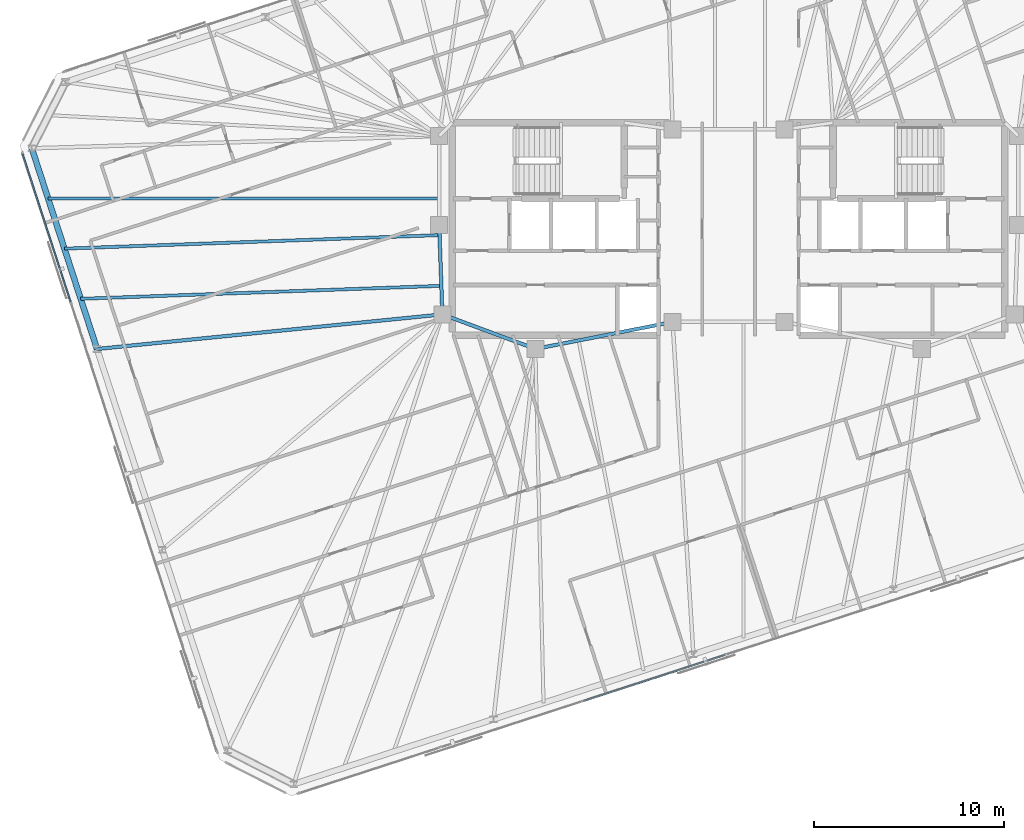
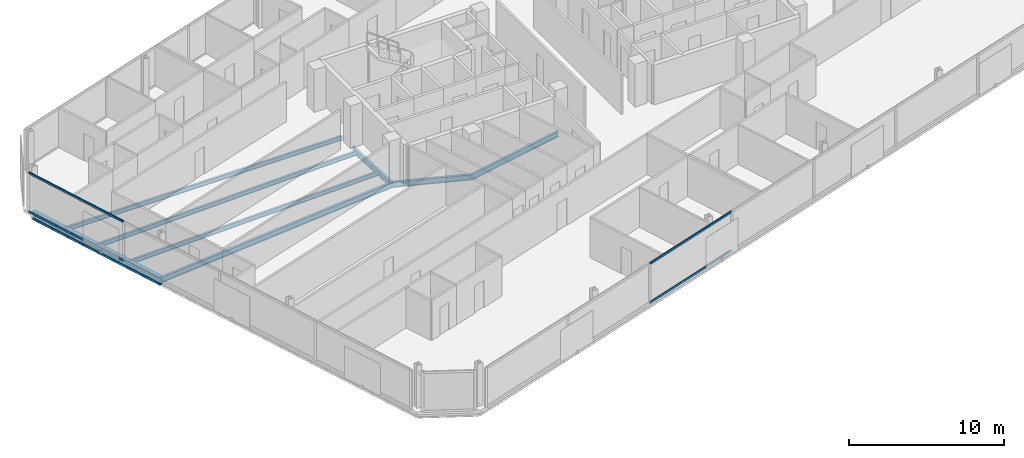
# One storey, part 6 of 20: 8 beams, 4 members, 2 elements without a shape of their own.
"""IFC4 building model written with IfcOpenShell, lengths in metres."""

from ifc_helpers import new_model, si_unit, direction, frame, origin, origin_2d, place, context, subcontext, project, spatial, rectangle, i_section, extrude, material, material_profile, profile_set, type_object, element, aggregate, save


model = new_model("IFC4")

# Units and contexts
model_context = context("Model", 3, precision=1e-05, world=origin(), true_north=direction((0.0, 1.0)))
body_context = subcontext(model_context, "Body", "Model", "MODEL_VIEW")
ifc_project = project(units=[si_unit("LENGTHUNIT", "METRE"), si_unit("AREAUNIT", "SQUARE_METRE"), si_unit("VOLUMEUNIT", "CUBIC_METRE"), si_unit("PLANEANGLEUNIT", "RADIAN"), si_unit("MASSUNIT", "GRAM", prefix="KILO")], contexts=[model_context])

# Site, building, storey
site_placement = place(None, origin())
site = spatial("IfcSite", under=ifc_project, at=site_placement, CompositionType="ELEMENT")
building_placement = place(site_placement, origin())
building = spatial("IfcBuilding", under=site, at=building_placement, Name="Menara Jurai Vektor", CompositionType="ELEMENT")
storey_placement = place(building_placement, frame((0.0, 0.0, 224.300048828125)))
storey = spatial("IfcBuildingStorey", under=building, at=storey_placement, Name="L59", CompositionType="ELEMENT", Elevation=224.300048828125)

# Curtain wall, members
ifc_material_1 = material(Name="Anodised Pale Aluminium & Low-E Double Glazing", Category="aluminium")
curtain_wall_type = type_object("IfcCurtainWallType", Name="CW-BLK4", PredefinedType="NOTDEFINED", material=ifc_material_1)
curtain_wall_1_placement = place(storey_placement, origin())
curtain_wall_1 = element("IfcCurtainWall", 1, at=curtain_wall_1_placement, inside=storey, type_object=curtain_wall_type, Name="Unitised Curtain Wall L59 F01", PredefinedType="NOTDEFINED")
ifc_material_2 = material(Name="Anodised Pale Aluminium Transom", Category="aluminium")
ifc_material_profile_1 = material_profile(ifc_material_2, rectangle(XDim=0.080078125, YDim=0.1650390625, at=origin_2d()), Name="ALU TRN 80x165")
ifc_profile_set_1 = profile_set([ifc_material_profile_1], Name="Anodised Pale Aluminium Transom")
member_type = type_object("IfcMemberType", Name="CW-BLK4-TRN", PredefinedType="USERDEFINED", material=ifc_profile_set_1)
member_1_placement = place(storey_placement, frame((-7.639404296875, -24.86669921875, 0.0400390625), z_axis=(0.951059330237, 0.309008333817, 0.0), x_axis=(-0.309008333817, 0.951059330237, 0.0)))
member_1 = element("IfcMember", 2, at=member_1_placement, type_object=member_type, Name="CW-04 transom 3.1", ObjectType="TRANSOM", PredefinedType="USERDEFINED", context=body_context, shape_type="SweptSolid", body=[
    extrude(rectangle(XDim=0.080078125, YDim=0.1650390625, at=origin_2d()), origin(), (0.0, 0.0, 1.0), 7.8115234375),
])
member_2_placement = place(storey_placement, frame((-7.639404296875, -24.86669921875, 3.0849609375), z_axis=(0.951059330237, 0.309008333817, 0.0), x_axis=(-0.309008333817, 0.951059330237, 0.0)))
member_2 = element("IfcMember", 3, at=member_2_placement, type_object=member_type, Name="CW-04 transom 3.2", ObjectType="TRANSOM", PredefinedType="USERDEFINED", context=body_context, shape_type="SweptSolid", body=[
    extrude(rectangle(XDim=0.080078125, YDim=0.1650390625, at=origin_2d()), origin(), (0.0, 0.0, 1.0), 7.8115234375),
])
aggregate(curtain_wall_1, [member_1, member_2])

curtain_wall_2_placement = place(storey_placement, origin())
curtain_wall_2 = element("IfcCurtainWall", 4, at=curtain_wall_2_placement, inside=storey, type_object=curtain_wall_type, Name="Unitised Curtain Wall L59 F07", PredefinedType="NOTDEFINED")
member_3_placement = place(storey_placement, frame((-37.19384765625, 3.950927734375, 0.0400390625), z_axis=(0.309010577384, -0.951058601278, 0.0), x_axis=(0.951058601278, 0.309010577384, 0.0)))
member_3 = element("IfcMember", 5, at=member_3_placement, type_object=member_type, Name="CW-04 transom 1.1", ObjectType="TRANSOM", PredefinedType="USERDEFINED", context=body_context, shape_type="SweptSolid", body=[
    extrude(rectangle(XDim=0.080078125, YDim=0.1650390625, at=origin_2d()), origin(), (0.0, 0.0, 1.0), 8.18994140625),
])
member_4_placement = place(storey_placement, frame((-37.19384765625, 3.950927734375, 3.0849609375), z_axis=(0.309010577384, -0.951058601278, 0.0), x_axis=(0.951058601278, 0.309010577384, 0.0)))
member_4 = element("IfcMember", 6, at=member_4_placement, type_object=member_type, Name="CW-04 transom 1.2", ObjectType="TRANSOM", PredefinedType="USERDEFINED", context=body_context, shape_type="SweptSolid", body=[
    extrude(rectangle(XDim=0.080078125, YDim=0.1650390625, at=origin_2d()), origin(), (0.0, 0.0, 1.0), 8.18994140625),
])
aggregate(curtain_wall_2, [member_3, member_4])

# Beams
ifc_material_3 = material(Name="Steel S355", Category="steel")
ifc_material_profile_2 = material_profile(ifc_material_3, i_section(OverallWidth=0.18505859375, OverallDepth=0.429931640625, WebThickness=0.010986328125, FlangeThickness=0.01806640625, at=origin_2d()), Name="PG 430x185x76")
ifc_profile_set_2 = profile_set([ifc_material_profile_2], Name="Steel S355")
beam_type_1 = type_object("IfcBeamType", Name="STR-BM-430", PredefinedType="BEAM", material=ifc_profile_set_2)
beam_1_placement = place(storey_placement, frame((-15.080078125, -4.5, -0.43994140625), z_axis=(-0.035977314146, 0.999352606874, 0.0), x_axis=(-0.999352606874, -0.035977314146, 0.0)))
element("IfcBeam", 7, at=beam_1_placement, inside=storey, type_object=beam_type_1, Name="Core Ring Header Girder L59-CHW-W2", PredefinedType="BEAM", context=body_context, shape_type="SweptSolid", body=[
    extrude(i_section(OverallWidth=0.18505859375, OverallDepth=0.429931640625, WebThickness=0.010986328125, FlangeThickness=0.01806640625, at=origin_2d()), origin(), (0.0, 0.0, 1.0), 4.72314453125),
])
beam_2_placement = place(storey_placement, frame((-15.080078125, -4.5, -0.43994140625), z_axis=(0.937424400887, -0.348188874925, 0.0), x_axis=(0.348188874925, 0.937424400887, 0.0)))
element("IfcBeam", 8, at=beam_2_placement, inside=storey, type_object=beam_type_1, Name="Core Ring Header Girder L59-CHW-S1", PredefinedType="BEAM", context=body_context, shape_type="SweptSolid", body=[
    extrude(i_section(OverallWidth=0.18505859375, OverallDepth=0.429931640625, WebThickness=0.010986328125, FlangeThickness=0.01806640625, at=origin_2d()), origin(), (0.0, 0.0, 1.0), 5.227294921875),
])
beam_3_placement = place(storey_placement, frame((-10.179931640625, -6.320068359375, -0.43994140625), z_axis=(0.981249044334, 0.192744164614, 0.0), x_axis=(-0.192744164614, 0.981249044334, 0.0)))
element("IfcBeam", 9, at=beam_3_placement, inside=storey, type_object=beam_type_1, Name="Core Ring Header Girder L59-CHW-S2", PredefinedType="BEAM", context=body_context, shape_type="SweptSolid", body=[
    extrude(i_section(OverallWidth=0.18505859375, OverallDepth=0.429931640625, WebThickness=0.010986328125, FlangeThickness=0.01806640625, at=origin_2d()), origin(), (0.0, 0.0, 1.0), 7.3681640625),
])
beam_4_placement = place(storey_placement, frame((-33.277587890625, -6.322509765625, -0.43994140625), z_axis=(0.995022243563, 0.099653072276, 0.0), x_axis=(-0.099653072276, 0.995022243563, 0.0)))
element("IfcBeam", 10, at=beam_4_placement, inside=storey, type_object=beam_type_1, Name="Radial Floor Girder L59-W2", PredefinedType="BEAM", context=body_context, shape_type="SweptSolid", body=[
    extrude(i_section(OverallWidth=0.18505859375, OverallDepth=0.429931640625, WebThickness=0.010986328125, FlangeThickness=0.01806640625, at=origin_2d()), origin(), (0.0, 0.0, 1.0), 18.28857421875),
])
ifc_material_profile_3 = material_profile(ifc_material_3, i_section(OverallWidth=0.1650390625, OverallDepth=0.330078125, WebThickness=0.009033203125, FlangeThickness=0.013916015625, at=origin_2d()), Name="PG 330x165x46")
ifc_profile_set_3 = profile_set([ifc_material_profile_3], Name="Steel S355")
beam_type_2 = type_object("IfcBeamType", Name="STR-JS-330", PredefinedType="JOIST", material=ifc_profile_set_3)
beam_5_placement = place(storey_placement, frame((-35.8544921875, 1.6083984375, -0.39013671875), z_axis=(1.0, 0.0, 0.0), x_axis=(0.0, 1.0, 0.0)))
element("IfcBeam", 11, at=beam_5_placement, inside=storey, type_object=beam_type_2, Name="Radial Secondary Floor Joist L59-JS28", PredefinedType="JOIST", context=body_context, shape_type="SweptSolid", body=[
    extrude(i_section(OverallWidth=0.1650390625, OverallDepth=0.330078125, WebThickness=0.009033203125, FlangeThickness=0.013916015625, at=origin_2d()), origin(), (0.0, 0.0, 1.0), 20.6044921875),
])
beam_6_placement = place(storey_placement, frame((-34.99560546875, -1.03515625, -0.39013671875), z_axis=(0.999351957959, 0.035995334734, 0.0), x_axis=(-0.035995334734, 0.999351957959, 0.0)))
element("IfcBeam", 12, at=beam_6_placement, inside=storey, type_object=beam_type_2, Name="Radial Secondary Floor Joist L59-JS29", PredefinedType="JOIST", context=body_context, shape_type="SweptSolid", body=[
    extrude(i_section(OverallWidth=0.1650390625, OverallDepth=0.330078125, WebThickness=0.009033203125, FlangeThickness=0.013916015625, at=origin_2d()), origin(), (0.0, 0.0, 1.0), 19.77783203125),
])
beam_7_placement = place(storey_placement, frame((-34.136474609375, -3.6787109375, -0.39013671875), z_axis=(0.999352161922, 0.035989671603, 0.0), x_axis=(-0.035989671603, 0.999352161922, 0.0)))
element("IfcBeam", 13, at=beam_7_placement, inside=storey, type_object=beam_type_2, Name="Radial Secondary Floor Joist L59-JS30", PredefinedType="JOIST", context=body_context, shape_type="SweptSolid", body=[
    extrude(i_section(OverallWidth=0.1650390625, OverallDepth=0.330078125, WebThickness=0.009033203125, FlangeThickness=0.013916015625, at=origin_2d()), origin(), (0.0, 0.0, 1.0), 19.014404296875),
])
ifc_material_profile_4 = material_profile(ifc_material_3, i_section(OverallWidth=0.306884765625, OverallDepth=0.6201171875, WebThickness=0.013916015625, FlangeThickness=0.02392578125, FilletRadius=0.01708984375, at=origin_2d()), Name="UKB 610x305x179")
ifc_profile_set_4 = profile_set([ifc_material_profile_4], Name="Steel S355")
beam_type_3 = type_object("IfcBeamType", Name="STR-SP-610", PredefinedType="SPANDREL", material=ifc_profile_set_4)
beam_8_placement = place(storey_placement, frame((-36.71337890625, 4.251953125, -0.53515625), z_axis=(0.309012092614, -0.95105810896, 0.0), x_axis=(0.95105810896, 0.309012092614, 0.0)))
element("IfcBeam", 14, at=beam_8_placement, inside=storey, type_object=beam_type_3, Name="Exoskeleton Spandrel Beam L59-17", PredefinedType="SPANDREL", context=body_context, shape_type="SweptSolid", body=[
    extrude(i_section(OverallWidth=0.306884765625, OverallDepth=0.6201171875, WebThickness=0.013916015625, FlangeThickness=0.02392578125, FilletRadius=0.01708984375, at=origin_2d()), origin(), (0.0, 0.0, 1.0), 11.11865234375),
])

save(model, "model.ifc")
